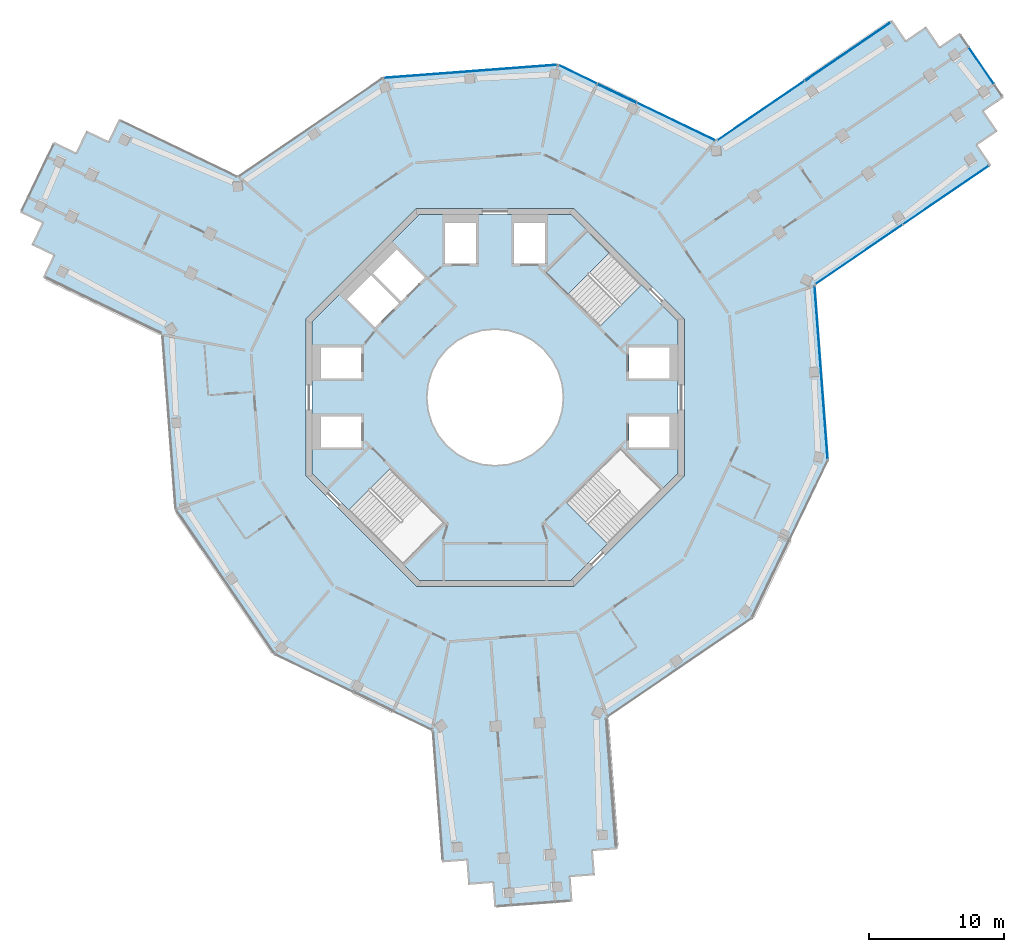
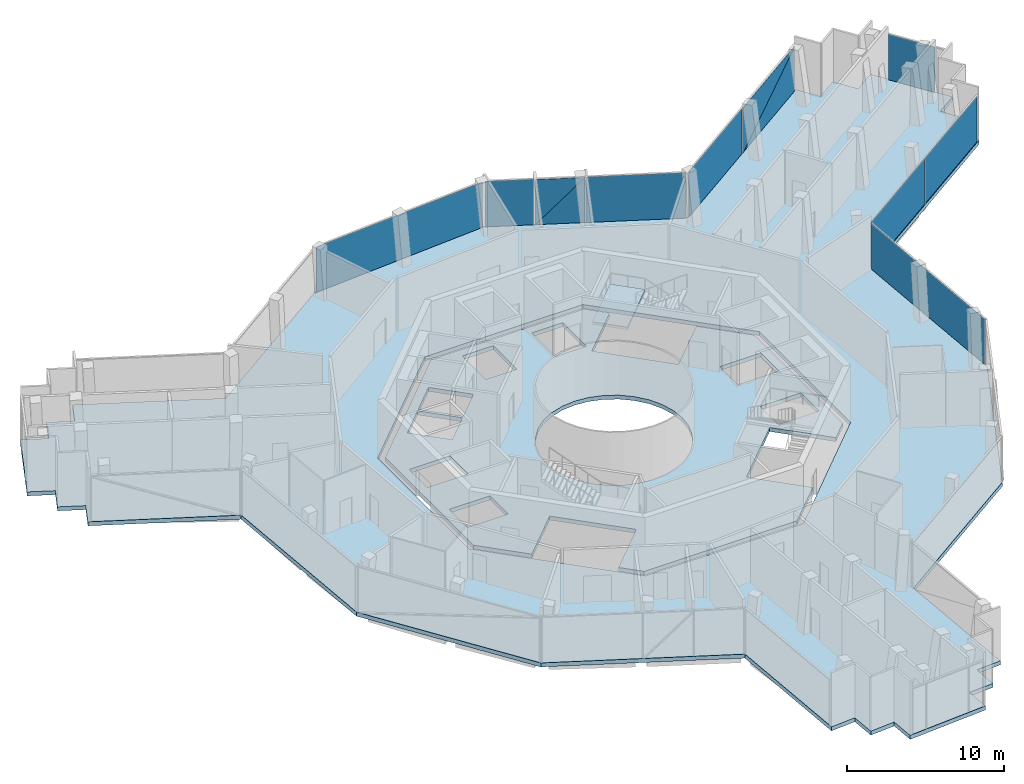
# One storey, part 11 of 19: 12 plates, 3 slabs, 7 elements without a shape of their own.
"""IFC4 building model written with IfcOpenShell, lengths in metres."""

from ifc_helpers import new_model, si_unit, direction, frame, origin, origin_2d, place, context, subcontext, project, spatial, polyline, rectangle, outline, extrude, material, layer, layer_set, type_object, element, aggregate, save


model = new_model("IFC4")

# Units and contexts
model_context = context("Model", 3, precision=1e-05, world=origin(), true_north=direction((0.0, 1.0)))
body_context = subcontext(model_context, "Body", "Model", "MODEL_VIEW")
ifc_project = project(units=[si_unit("LENGTHUNIT", "METRE"), si_unit("AREAUNIT", "SQUARE_METRE"), si_unit("VOLUMEUNIT", "CUBIC_METRE"), si_unit("PLANEANGLEUNIT", "RADIAN"), si_unit("MASSUNIT", "GRAM", prefix="KILO")], contexts=[model_context])

# Site, building, storey
site_placement = place(None, origin())
site = spatial("IfcSite", under=ifc_project, at=site_placement, CompositionType="ELEMENT")
building_placement = place(site_placement, origin())
building = spatial("IfcBuilding", under=site, at=building_placement, Name="Verdalira Terraces Hotel", CompositionType="ELEMENT")
storey_placement = place(building_placement, frame((0.0, 0.0, 295.0)))
storey = spatial("IfcBuildingStorey", under=building, at=storey_placement, Name="L73", CompositionType="ELEMENT", Elevation=295.0)

# Curtain wall, plate
ifc_material_1 = material(Name="Clear glass", Category="glass")
ifc_layer_1 = layer(ifc_material_1, 0.179931640625)
ifc_layer_set_1 = layer_set([ifc_layer_1], Name="CW4 curtain wall")
curtain_wall_type = type_object("IfcCurtainWallType", Name="CW4 curtain wall", PredefinedType="NOTDEFINED", material=ifc_layer_set_1)
curtain_wall_1_placement = place(storey_placement, origin())
curtain_wall_1 = element("IfcCurtainWall", 1, at=curtain_wall_1_placement, inside=storey, type_object=curtain_wall_type, Name="CW4 curtain wall L73 edge 27", PredefinedType="NOTDEFINED")
ifc_material_2 = material(Name="Clear glass", Category="glass")
ifc_layer_2 = layer(ifc_material_2, 0.035888671875)
ifc_layer_set_2 = layer_set([ifc_layer_2], Name="CW4 glass unit 36")
plate_type = type_object("IfcPlateType", Name="CW4 glass unit 36", PredefinedType="CURTAIN_PANEL", material=ifc_layer_set_2)
plate_1_placement = place(storey_placement, frame((24.128662, 1.834229, 0.0), z_axis=(0.0, 0.0, 1.0), x_axis=(-0.075326806, 0.9971589, 0.0)))
plate_1 = element("IfcPlate", 2, at=plate_1_placement, type_object=plate_type, Name="CW4 glass unit", PredefinedType="CURTAIN_PANEL", context=body_context, shape_type="SweptSolid", body=[
    extrude(rectangle(XDim=12.8125, YDim=0.035889, at=origin_2d()), origin(), (0.0, 0.0, 1.0), 3.52002),
])
aggregate(curtain_wall_1, [plate_1])

# Curtain wall, plates
curtain_wall_2_placement = place(storey_placement, origin())
curtain_wall_2 = element("IfcCurtainWall", 3, at=curtain_wall_2_placement, inside=storey, type_object=curtain_wall_type, Name="CW4 curtain wall L73 edge 28", PredefinedType="NOTDEFINED")
plate_2_placement = place(storey_placement, frame((26.94043, 10.59375, 0.0), z_axis=(0.0, 0.0, 1.0), x_axis=(0.825901536, 0.563814377, 0.0)))
plate_2 = element("IfcPlate", 4, at=plate_2_placement, type_object=plate_type, Name="CW4 glass unit", PredefinedType="CURTAIN_PANEL", context=body_context, shape_type="SweptSolid", body=[
    extrude(rectangle(XDim=7.764648, YDim=0.035889, at=origin_2d()), origin(), (0.0, 0.0, 1.0), 3.52002),
])
plate_3_placement = place(storey_placement, frame((33.352295, 14.970947, 0.0), z_axis=(0.0, 0.0, 1.0), x_axis=(0.825901536, 0.563814377, 0.0)))
plate_3 = element("IfcPlate", 5, at=plate_3_placement, type_object=plate_type, Name="CW4 glass unit", PredefinedType="CURTAIN_PANEL", context=body_context, shape_type="SweptSolid", body=[
    extrude(rectangle(XDim=7.63208, YDim=0.035889, at=origin_2d()), origin(), (0.0, 0.0, 1.0), 3.52002),
])
aggregate(curtain_wall_2, [plate_2, plate_3])

# Curtain wall, plate
curtain_wall_3_placement = place(storey_placement, origin())
curtain_wall_3 = element("IfcCurtainWall", 6, at=curtain_wall_3_placement, inside=storey, type_object=curtain_wall_type, Name="CW4 curtain wall L73 edge 33", PredefinedType="NOTDEFINED")
plate_4_placement = place(storey_placement, frame((35.984863, 24.54248, 0.0), z_axis=(0.0, 0.0, 1.0), x_axis=(-0.563814377, 0.825901536, 0.0)))
plate_4 = element("IfcPlate", 7, at=plate_4_placement, type_object=plate_type, Name="CW4 glass unit", PredefinedType="CURTAIN_PANEL", context=body_context, shape_type="SweptSolid", body=[
    extrude(rectangle(XDim=3.275391, YDim=0.035889, at=origin_2d()), origin(), (0.0, 0.0, 1.0), 3.52002),
])
aggregate(curtain_wall_3, [plate_4])

# Curtain wall, plates
curtain_wall_4_placement = place(storey_placement, origin())
curtain_wall_4 = element("IfcCurtainWall", 8, at=curtain_wall_4_placement, inside=storey, type_object=curtain_wall_type, Name="CW4 curtain wall L73 edge 38", PredefinedType="NOTDEFINED")
plate_5_placement = place(storey_placement, frame((26.100342, 25.593506, 1.76001), z_axis=(-0.563814377, 0.825901536, 0.0), x_axis=(-0.825901536, -0.563814377, 0.0)))
plate_5 = element("IfcPlate", 9, at=plate_5_placement, type_object=plate_type, Name="CW4 glass unit", PredefinedType="CURTAIN_PANEL", context=body_context, shape_type="SweptSolid", body=[
    extrude(outline(polyline([(-3.815918, -1.76001), (3.815918, -1.76001), (-3.815918, 1.76001), (-3.815918, -1.76001)])), origin(), (0.0, 0.0, 1.0), 0.035889),
])
plate_6_placement = place(storey_placement, frame((26.121338, 25.562988, 1.76001), z_axis=(-0.563814377, 0.825901536, 0.0), x_axis=(-0.825901536, -0.563814377, 0.0)))
plate_6 = element("IfcPlate", 10, at=plate_6_placement, type_object=plate_type, Name="CW4 glass unit", PredefinedType="CURTAIN_PANEL", context=body_context, shape_type="SweptSolid", body=[
    extrude(outline(polyline([(3.815918, -1.76001), (3.815918, 1.76001), (-3.815918, 1.76001), (3.815918, -1.76001)])), origin(), (0.0, 0.0, 1.0), 0.035889),
])
plate_7_placement = place(storey_placement, frame((19.678467, 21.231445, 0.0), z_axis=(0.0, 0.0, 1.0), x_axis=(-0.825901536, -0.563814377, 0.0)))
plate_7 = element("IfcPlate", 11, at=plate_7_placement, type_object=plate_type, Name="CW4 glass unit", PredefinedType="CURTAIN_PANEL", context=body_context, shape_type="SweptSolid", body=[
    extrude(rectangle(XDim=7.764648, YDim=0.035889, at=origin_2d()), origin(), (0.0, 0.0, 1.0), 3.52002),
])
aggregate(curtain_wall_4, [plate_5, plate_6, plate_7])

curtain_wall_5_placement = place(storey_placement, origin())
curtain_wall_5 = element("IfcCurtainWall", 12, at=curtain_wall_5_placement, inside=storey, type_object=curtain_wall_type, Name="CW4 curtain wall L73 edge 39", PredefinedType="NOTDEFINED")
plate_8_placement = place(storey_placement, frame((13.392822, 20.410645, 0.0), z_axis=(0.0, 0.0, 1.0), x_axis=(-0.901228342, 0.433344523, 0.0)))
plate_8 = element("IfcPlate", 13, at=plate_8_placement, type_object=plate_type, Name="CW4 glass unit", PredefinedType="CURTAIN_PANEL", context=body_context, shape_type="SweptSolid", body=[
    extrude(rectangle(XDim=6.385254, YDim=0.035889, at=origin_2d()), origin(), (0.0, 0.0, 1.0), 3.52002),
])
plate_9_placement = place(storey_placement, frame((9.013916, 22.496338, 1.76001), z_axis=(0.433344523, 0.901228342, 0.0), x_axis=(-0.901228342, 0.433344523, 0.0)))
plate_9 = element("IfcPlate", 14, at=plate_9_placement, type_object=plate_type, Name="CW4 glass unit", PredefinedType="CURTAIN_PANEL", context=body_context, shape_type="SweptSolid", body=[
    extrude(outline(polyline([(-1.592529, -1.76001), (1.592529, -1.76001), (-1.592529, 1.76001), (-1.592529, -1.76001)])), origin(), (0.0, 0.0, 1.0), 0.035889),
])
plate_10_placement = place(storey_placement, frame((8.997803, 22.462891, 1.76001), z_axis=(0.433344523, 0.901228342, 0.0), x_axis=(-0.901228342, 0.433344523, 0.0)))
plate_10 = element("IfcPlate", 15, at=plate_10_placement, type_object=plate_type, Name="CW4 glass unit", PredefinedType="CURTAIN_PANEL", context=body_context, shape_type="SweptSolid", body=[
    extrude(outline(polyline([(1.592529, -1.76001), (1.592529, 1.76001), (-1.592529, 1.76001), (1.592529, -1.76001)])), origin(), (0.0, 0.0, 1.0), 0.035889),
])
plate_11_placement = place(storey_placement, frame((6.125488, 23.905029, 0.0), z_axis=(0.0, 0.0, 1.0), x_axis=(-0.901228342, 0.433344523, 0.0)))
plate_11 = element("IfcPlate", 16, at=plate_11_placement, type_object=plate_type, Name="CW4 glass unit", PredefinedType="CURTAIN_PANEL", context=body_context, shape_type="SweptSolid", body=[
    extrude(rectangle(XDim=3.112305, YDim=0.035889, at=origin_2d()), origin(), (0.0, 0.0, 1.0), 3.52002),
])
aggregate(curtain_wall_5, [plate_8, plate_9, plate_10, plate_11])

# Curtain wall, plate
curtain_wall_6_placement = place(storey_placement, origin())
curtain_wall_6 = element("IfcCurtainWall", 17, at=curtain_wall_6_placement, inside=storey, type_object=curtain_wall_type, Name="CW4 curtain wall L73 edge 40", PredefinedType="NOTDEFINED")
plate_12_placement = place(storey_placement, frame((-1.822754, 24.129639, 0.0), z_axis=(0.0, 0.0, 1.0), x_axis=(-0.9971589, -0.075326806, 0.0)))
plate_12 = element("IfcPlate", 18, at=plate_12_placement, type_object=plate_type, Name="CW4 glass unit", PredefinedType="CURTAIN_PANEL", context=body_context, shape_type="SweptSolid", body=[
    extrude(rectangle(XDim=12.789551, YDim=0.035889, at=origin_2d()), origin(), (0.0, 0.0, 1.0), 3.52002),
])
aggregate(curtain_wall_6, [plate_12])

# Slab
ifc_material_3 = material(Name="Concrete C40", Category="concrete")
ifc_layer_3 = layer(ifc_material_3, 0.31005859375)
ifc_layer_set_3 = layer_set([ifc_layer_3], Name="Core floor slab 310 mm")
slab_type_1 = type_object("IfcSlabType", Name="Core floor slab 310 mm", PredefinedType="FLOOR", material=ifc_layer_set_3)
slab_1_placement = place(storey_placement, frame((0.0, 0.0, -0.310059)))
element("IfcSlab", 19, at=slab_1_placement, inside=storey, type_object=slab_type_1, Name="L73 core floor", PredefinedType="FLOOR", context=body_context, shape_type="SweptSolid", body=[
    extrude(outline(polyline([(-6.809326, -12.353271), (-3.719482, -9.263184), (-7.746094, -5.236572), (-10.836182, -8.326416), (-13.550049, -5.612549), (-13.550049, 5.612549), (-5.612549, 13.550049), (5.612549, 13.550049), (6.809326, 12.353271), (3.719482, 9.263184), (7.746094, 5.236572), (10.836182, 8.326416), (13.550049, 5.612549), (13.550049, -5.612549), (12.353271, -6.809326), (9.263184, -3.719482), (5.236572, -7.746094), (8.326416, -10.836182), (5.612549, -13.550049), (-5.612549, -13.550049), (-6.809326, -12.353271)]), holes=[polyline([(9.899902, -1.399902), (9.899902, -3.699951), (12.899902, -3.699951), (12.899902, -1.399902), (9.899902, -1.399902)]), polyline([(9.899902, 3.699951), (9.899902, 1.399902), (12.899902, 1.399902), (12.899902, 3.699951), (9.899902, 3.699951)]), polyline([(3.699951, 12.899902), (1.399902, 12.899902), (1.399902, 9.899902), (3.699951, 9.899902), (3.699951, 12.899902)]), polyline([(-1.399902, 12.899902), (-3.699951, 12.899902), (-3.699951, 9.899902), (-1.399902, 9.899902), (-1.399902, 12.899902)]), polyline([(-9.899902, 1.399902), (-9.899902, 3.699951), (-12.899902, 3.699951), (-12.899902, 1.399902), (-9.899902, 1.399902)]), polyline([(-9.899902, -3.699951), (-9.899902, -1.399902), (-12.899902, -1.399902), (-12.899902, -3.699951), (-9.899902, -3.699951)]), polyline([(-9.051025, 9.192383), (-6.965088, 7.106445), (-5.197266, 8.874268), (-7.283203, 10.960205), (-9.051025, 9.192383)]), polyline([(-9.192383, 9.051025), (-10.960205, 7.283203), (-8.874268, 5.197266), (-7.106445, 6.965088), (-9.192383, 9.051025)]), polyline([(3.5354, 3.5354), (2.777832, 4.157227), (1.91333, 4.619385), (0.975586, 4.903809), (0.0, 5.0), (-0.975586, 4.903809), (-1.91333, 4.619385), (-2.777832, 4.157227), (-3.5354, 3.5354), (-4.157227, 2.777832), (-4.619385, 1.91333), (-4.903809, 0.975586), (-5.0, 0.0), (-4.903809, -0.975586), (-4.619385, -1.91333), (-4.157227, -2.777832), (-3.5354, -3.5354), (-2.777832, -4.157227), (-1.91333, -4.619385), (-0.975586, -4.903809), (0.0, -5.0), (0.975586, -4.903809), (1.91333, -4.619385), (2.777832, -4.157227), (3.5354, -3.5354), (4.157227, -2.777832), (4.619385, -1.91333), (4.903809, -0.975586), (5.0, 0.0), (4.903809, 0.975586), (4.619385, 1.91333), (4.157227, 2.777832), (3.5354, 3.5354)])]), origin(), (0.0, 0.0, 1.0), 0.310059),
])

# Stair, slab
ifc_material_4 = material(Name="Concrete C40", Category="concrete")
stair_type = type_object("IfcStairType", Name="Core stair 26 risers 2125 mm wide", PredefinedType="HALF_TURN_STAIR", material=ifc_material_4)
stair_placement = place(storey_placement, origin())
stair = element("IfcStair", 20, at=stair_placement, inside=storey, type_object=stair_type, Name="L73 Exit stair ST1", PredefinedType="HALF_TURN_STAIR")
ifc_material_5 = material(Name="Concrete C40", Category="concrete")
ifc_layer_4 = layer(ifc_material_5, 0.199951171875)
ifc_layer_set_4 = layer_set([ifc_layer_4], Name="Core stair landing 200 mm")
slab_type_2 = type_object("IfcSlabType", Name="Core stair landing 200 mm", PredefinedType="LANDING", material=ifc_layer_set_4)
slab_2_placement = place(storey_placement, frame((0.0, 0.0, 2.050049)))
slab_2 = element("IfcSlab", 21, at=slab_2_placement, type_object=slab_type_2, Name="ST1 landing 1", PredefinedType="LANDING", context=body_context, shape_type="SweptSolid", body=[
    extrude(outline(polyline([(8.460938, 10.70166), (6.823486, 12.339111), (3.747559, 9.263184), (5.38501, 7.625732), (8.460938, 10.70166)])), origin(), (0.0, 0.0, 1.0), 0.199951),
])
aggregate(stair, [slab_2])

# Slab
ifc_material_6 = material(Name="Concrete C40", Category="concrete")
ifc_layer_5 = layer(ifc_material_6, 0.31005859375)
ifc_layer_set_5 = layer_set([ifc_layer_5], Name="Floor slab 310 C40")
slab_type_3 = type_object("IfcSlabType", Name="Floor slab 310 C40", PredefinedType="FLOOR", material=ifc_layer_set_5)
slab_3_placement = place(storey_placement, frame((0.0, 0.0, -0.310059)))
element("IfcSlab", 22, at=slab_3_placement, inside=storey, type_object=slab_type_3, Name="Floor slab L73", PredefinedType="FLOOR", context=body_context, shape_type="SweptSolid", body=[
    extrude(outline(polyline([(-8.308838, 23.699707), (-19.045654, 16.370117), (-27.84082, 20.599121), (-28.620605, 18.977051), (-30.24292, 19.75708), (-31.022949, 18.134766), (-32.645264, 18.914795), (-35.158691, 13.687744), (-33.536377, 12.907715), (-34.316406, 11.2854), (-32.694092, 10.505615), (-33.474121, 8.883301), (-24.678955, 4.654297), (-23.699707, -8.308838), (-16.370117, -19.045654), (-4.654297, -24.678955), (-3.919189, -34.4104), (-2.124268, -34.274902), (-1.988525, -36.06958), (-0.193604, -35.934082), (-0.058105, -37.729004), (5.725342, -37.291992), (5.589844, -35.497314), (7.384766, -35.361572), (7.249023, -33.56665), (9.043945, -33.431152), (8.308838, -23.699707), (19.045654, -16.370117), (24.678955, -4.654297), (23.699707, 8.308838), (36.715088, 17.194092), (35.700439, 18.680664), (37.187012, 19.695557), (36.172119, 21.182129), (37.658691, 22.197021), (34.388672, 26.987305), (32.9021, 25.972412), (31.887207, 27.458984), (30.400391, 26.444092), (29.385498, 27.930908), (16.370117, 19.045654), (4.654297, 24.678955), (-8.308838, 23.699707)]), holes=[polyline([(5.799072, 14.0), (14.0, 5.799072), (14.0, -5.799072), (5.799072, -14.0), (-5.799072, -14.0), (-14.0, -5.799072), (-14.0, 5.799072), (-5.799072, 14.0), (5.799072, 14.0)])]), origin(), (0.0, 0.0, 1.0), 0.310059),
])

save(model, "model.ifc")
